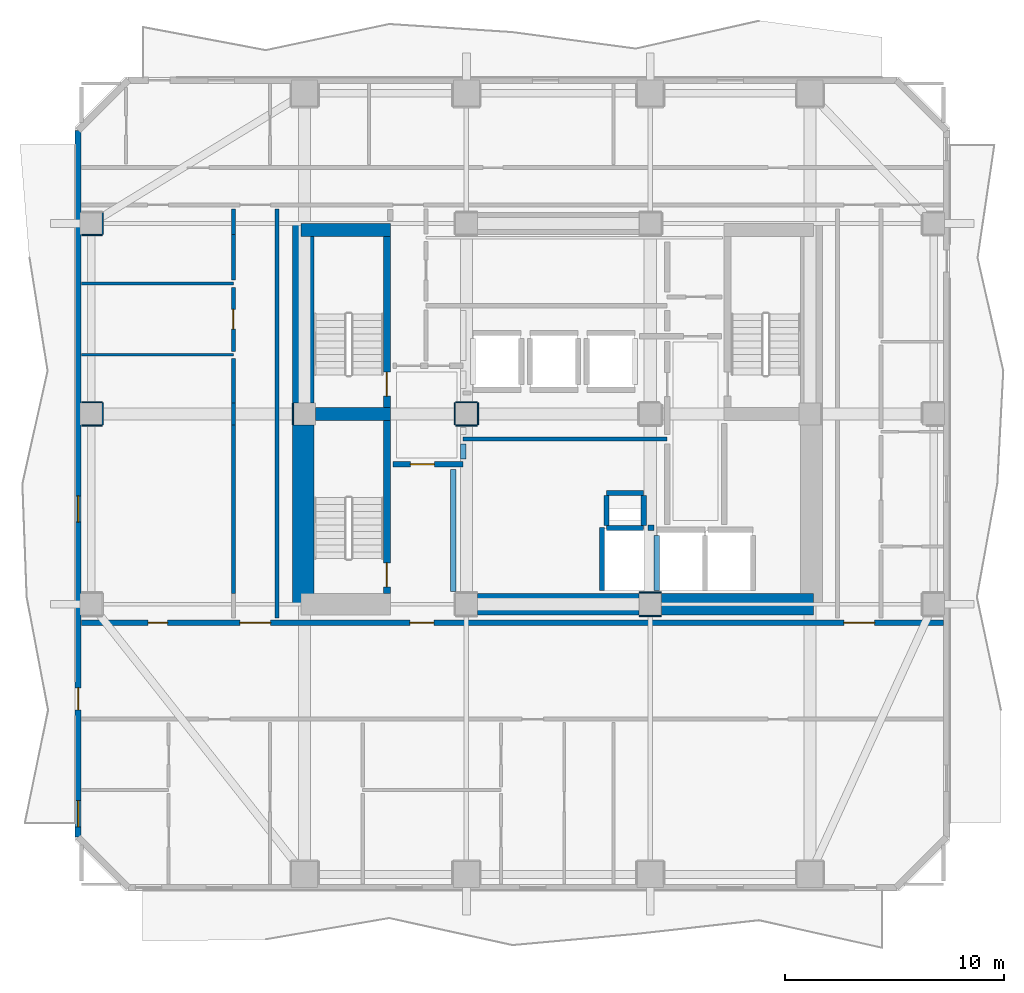
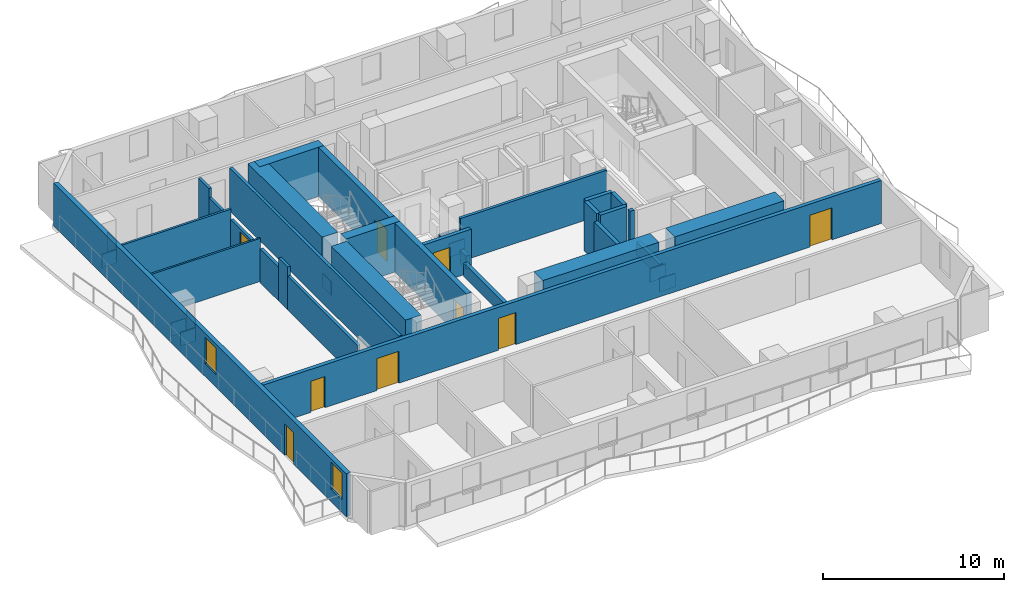
# One storey, part 3 of 10: 42 walls, 9 doors, 2 windows, 11 openings.
"""IFC4 building model written with IfcOpenShell, lengths in metres."""

from ifc_helpers import new_model, si_unit, direction, frame, frame_2d, origin, place, context, subcontext, project, spatial, rectangle, extrude, material, layer, layer_set, type_object, element, fill, save


model = new_model("IFC4")

# Units and contexts
model_context = context("Model", 3, precision=1e-05, world=origin(), true_north=direction((0.0, 1.0)))
body_context = subcontext(model_context, "Body", "Model", "MODEL_VIEW")
ifc_project = project(units=[si_unit("LENGTHUNIT", "METRE"), si_unit("AREAUNIT", "SQUARE_METRE"), si_unit("VOLUMEUNIT", "CUBIC_METRE"), si_unit("PLANEANGLEUNIT", "RADIAN"), si_unit("MASSUNIT", "GRAM", prefix="KILO")], contexts=[model_context])

# Site, building, storey
site_placement = place(None, origin())
site = spatial("IfcSite", under=ifc_project, at=site_placement, CompositionType="ELEMENT")
building_placement = place(site_placement, origin())
building = spatial("IfcBuilding", under=site, at=building_placement, Name="Solanera Arch Residences", CompositionType="ELEMENT")
storey_placement = place(building_placement, frame((0.0, 0.0, 122.679931640625)))
storey = spatial("IfcBuildingStorey", under=building, at=storey_placement, Name="L35", CompositionType="ELEMENT", Elevation=122.679931640625)

# Walls
ifc_material_1 = material(Name="Fire-Rated Gypsum Stud Partition", Category="gypsum")
ifc_layer_1 = layer(ifc_material_1, 0.06005859375)
ifc_layer_set_1 = layer_set([ifc_layer_1], Name="Fire-Rated Gypsum Stud Partition")
wall_type_1 = type_object("IfcWallType", Name="Column Acoustic Furring Wall 60", PredefinedType="PARTITIONING", material=ifc_layer_set_1)
for number, where, z_axis, x_axis, name in (
    (1, (28.699951171875, 21.468017578125, 0.0), (0.0, 0.0, 1.0), (1.0, 0.0, 0.0), "L35 Column Furring 2S"),
    (2, (28.699951171875, 22.531982421875, 0.0), (0.0, 0.0, 1.0), (1.0, 0.0, 0.0), "L35 Column Furring 2N"),
):
    element("IfcWall", number, at=place(storey_placement, frame(where, z_axis=z_axis, x_axis=x_axis)), inside=storey, type_object=wall_type_1, Name=name, PredefinedType="PARTITIONING", context=body_context, shape_type="SweptSolid", body=[
        extrude(rectangle(XDim=1.0, YDim=0.06005859375, at=frame_2d((0.5, 0.0))), origin(), (0.0, 0.0, 1.0), 0.905029296875),
    ])
wall_1_placement = place(storey_placement, frame((12.867919921875, 30.2099609375, 0.0), z_axis=(0.0, 0.0, 1.0), x_axis=(0.0, 1.0, 0.0)))
element("IfcWall", 3, at=wall_1_placement, inside=storey, type_object=wall_type_1, Name="L35 Column Furring 5W", PredefinedType="PARTITIONING", context=body_context, shape_type="SweptSolid", body=[
    extrude(rectangle(XDim=0.97998046875, YDim=0.06005859375, at=frame_2d((0.489990234375, 0.0))), origin(), (0.0, 0.0, 1.0), 0.905029296875),
])
for number, where, z_axis, x_axis, name in (
    (4, (20.300048828125, 30.16796875, 0.0), (0.0, 0.0, 1.0), (1.0, 0.0, 0.0), "L35 Column Furring 7S"),
    (5, (20.300048828125, 31.23193359375, 0.0), (0.0, 0.0, 1.0), (1.0, 0.0, 0.0), "L35 Column Furring 7N"),
    (6, (20.26806640625, 30.199951171875, 0.0), (0.0, 0.0, 1.0), (0.0, 1.0, 0.0), "L35 Column Furring 7W"),
    (7, (21.33203125, 30.199951171875, 0.0), (0.0, 0.0, 1.0), (0.0, 1.0, 0.0), "L35 Column Furring 7E"),
):
    element("IfcWall", number, at=place(storey_placement, frame(where, z_axis=z_axis, x_axis=x_axis)), inside=storey, type_object=wall_type_1, Name=name, PredefinedType="PARTITIONING", context=body_context, shape_type="SweptSolid", body=[
        extrude(rectangle(XDim=1.0, YDim=0.06005859375, at=frame_2d((0.5, 0.0))), origin(), (0.0, 0.0, 1.0), 0.905029296875),
    ])
for number, where, z_axis, x_axis, name in (
    (8, (3.2099609375, 30.16796875, 0.0), (0.0, 0.0, 1.0), (1.0, 0.0, 0.0), "L35 Column Furring 19S"),
    (9, (3.2099609375, 31.23193359375, 0.0), (0.0, 0.0, 1.0), (1.0, 0.0, 0.0), "L35 Column Furring 19N"),
):
    element("IfcWall", number, at=place(storey_placement, frame(where, z_axis=z_axis, x_axis=x_axis)), inside=storey, type_object=wall_type_1, Name=name, PredefinedType="PARTITIONING", context=body_context, shape_type="SweptSolid", body=[
        extrude(rectangle(XDim=0.93994140625, YDim=0.06005859375, at=frame_2d((0.469970703125, 0.0))), origin(), (0.0, 0.0, 1.0), 0.905029296875),
    ])
wall_2_placement = place(storey_placement, frame((4.181884765625, 30.199951171875, 0.0), z_axis=(0.0, 0.0, 1.0), x_axis=(0.0, 1.0, 0.0)))
element("IfcWall", 10, at=wall_2_placement, inside=storey, type_object=wall_type_1, Name="L35 Column Furring 19E", PredefinedType="PARTITIONING", context=body_context, shape_type="SweptSolid", body=[
    extrude(rectangle(XDim=1.0, YDim=0.06005859375, at=frame_2d((0.5, 0.0))), origin(), (0.0, 0.0, 1.0), 1.449951171875),
])
wall_3_placement = place(storey_placement, frame((3.2099609375, 38.867919921875, 0.0), z_axis=(0.0, 0.0, 1.0), x_axis=(1.0, 0.0, 0.0)))
element("IfcWall", 11, at=wall_3_placement, inside=storey, type_object=wall_type_1, Name="L35 Column Furring 21S", PredefinedType="PARTITIONING", context=body_context, shape_type="SweptSolid", body=[
    extrude(rectangle(XDim=0.93994140625, YDim=0.06005859375, at=frame_2d((0.469970703125, 0.0))), origin(), (0.0, 0.0, 1.0), 0.905029296875),
])
wall_4_placement = place(storey_placement, frame((4.181884765625, 38.89990234375, 0.0), z_axis=(0.0, 0.0, 1.0), x_axis=(0.0, 1.0, 0.0)))
element("IfcWall", 12, at=wall_4_placement, inside=storey, type_object=wall_type_1, Name="L35 Column Furring 21E", PredefinedType="PARTITIONING", context=body_context, shape_type="SweptSolid", body=[
    extrude(rectangle(XDim=1.0, YDim=0.06005859375, at=frame_2d((0.5, 0.0))), origin(), (0.0, 0.0, 1.0), 1.449951171875),
])
ifc_material_2 = material(Name="Concrete C55/67 (f'c = 60 MPa)", Category="concrete")
ifc_layer_2 = layer(ifc_material_2, 1.0)
ifc_layer_set_2 = layer_set([ifc_layer_2], Name="Concrete C55/67 (f'c = 60 MPa)")
wall_type_2 = type_object("IfcWallType", Name="Core Shear Wall CW-1000", PredefinedType="SHEAR", material=ifc_layer_set_2)
wall_5_placement = place(storey_placement, frame((13.340087890625, 22.0, 0.0), z_axis=(0.0, 0.0, 1.0), x_axis=(0.0, 1.0, 0.0)))
element("IfcWall", 13, at=wall_5_placement, inside=storey, type_object=wall_type_2, Name="L35 West Core South Shear Wall", PredefinedType="SHEAR", context=body_context, shape_type="SweptSolid", body=[
    extrude(rectangle(XDim=8.195068359375, YDim=1.0, at=frame_2d((4.09765625, 0.0))), origin(), (0.0, 0.0, 1.0), 3.320068359375),
])
wall_6_placement = place(storey_placement, frame((13.340087890625, 31.205078125, 0.0), z_axis=(0.0, 0.0, 1.0), x_axis=(0.0, 1.0, 0.0)))
element("IfcWall", 14, at=wall_6_placement, inside=storey, type_object=wall_type_2, Name="L35 West Core North Shear Wall", PredefinedType="SHEAR", context=body_context, shape_type="SweptSolid", body=[
    extrude(rectangle(XDim=8.19482421875, YDim=1.0, at=frame_2d((4.097412109375, 0.0))), origin(), (0.0, 0.0, 1.0), 3.320068359375),
])
wall_7_placement = place(storey_placement, frame((29.705078125, 22.0, 0.0), z_axis=(0.0, 0.0, 1.0), x_axis=(1.0, 0.0, 0.0)))
element("IfcWall", 15, at=wall_7_placement, inside=storey, type_object=wall_type_2, Name="L35 South-East Core Shear Wall", PredefinedType="SHEAR", context=body_context, shape_type="SweptSolid", body=[
    extrude(rectangle(XDim=6.954833984375, YDim=1.0, at=frame_2d((3.4775390625, 0.0))), origin(), (0.0, 0.0, 1.0), 3.320068359375),
])
wall_8_placement = place(storey_placement, frame((21.304931640625, 22.0, 0.0), z_axis=(0.0, 0.0, 1.0), x_axis=(1.0, 0.0, 0.0)))
element("IfcWall", 16, at=wall_8_placement, inside=storey, type_object=wall_type_2, Name="L35 Central South Core Shear Wall", PredefinedType="SHEAR", context=body_context, shape_type="SweptSolid", body=[
    extrude(rectangle(XDim=7.39013671875, YDim=1.0, at=frame_2d((3.695068359375, 0.0))), origin(), (0.0, 0.0, 1.0), 3.320068359375),
])

# Wall, opening, door
ifc_material_3 = material(Name="Concrete C40/50 (f'c = 45 MPa)", Category="concrete")
ifc_layer_3 = layer(ifc_material_3, 0.320068359375)
ifc_layer_set_3 = layer_set([ifc_layer_3], Name="Concrete C40/50 (f'c = 45 MPa)")
wall_type_3 = type_object("IfcWallType", Name="Core Shear Wall CW-320", PredefinedType="SHEAR", material=ifc_layer_set_3)
wall_9_placement = place(storey_placement, frame((17.159912109375, 31.0, 0.0), z_axis=(0.0, 0.0, 1.0), x_axis=(0.0, 1.0, 0.0)))
wall_9 = element("IfcWall", 17, at=wall_9_placement, inside=storey, type_object=wall_type_3, Name="L35 Stair ST-T1 East Shear Wall", PredefinedType="SHEAR", context=body_context, shape_type="SweptSolid", body=[
    extrude(rectangle(XDim=7.800048828125, YDim=0.320068359375, at=frame_2d((3.89990234375, 0.0))), origin(), (0.0, 0.0, 1.0), 3.320068359375),
])
opening_1_placement = place(wall_9_placement, frame((0.510009765625, 0.0, 0.0)))
opening_1 = element("IfcOpeningElement", 18, at=opening_1_placement, cuts=wall_9, Name="Opening DF-01", PredefinedType="OPENING", context=body_context, shape_type="SweptSolid", body=[
    extrude(rectangle(XDim=1.10009765625, YDim=2.14990234375, at=frame_2d((0.550048828125, 1.074951171875))), frame((0.0, 0.169921875, 0.0), z_axis=(0.0, -1.0, 0.0), x_axis=(1.0, 0.0, 0.0)), (0.0, 0.0, 1.0), 0.3401),
])
ifc_material_4 = material(Name="Fire-Rated Architectural Hardwood", Category="wood")
door_type_1 = type_object("IfcDoorType", Name="Stair Exit Fire Door DF-01", OperationType="NOTDEFINED", PredefinedType="DOOR", material=ifc_material_4)
door_1_placement = place(opening_1_placement, origin())
door_1 = element("IfcDoor", 19, at=door_1_placement, inside=storey, type_object=door_type_1, Name="DR-L35-STAIR-ST-T1", OperationType="SINGLE_SWING_LEFT", OverallHeight=2.14990234375, OverallWidth=1.10009765625, PredefinedType="DOOR", context=body_context, shape_type="SweptSolid", body=[
    extrude(rectangle(XDim=1.10009765625, YDim=2.14990234375, at=frame_2d((0.550048828125, 1.074951171875))), frame((0.0, 0.02490234375, 0.0), z_axis=(0.0, -1.0, 0.0), x_axis=(1.0, 0.0, 0.0)), (0.0, 0.0, 1.0), 0.050048828125),
])
fill(opening_1, door_1)

wall_10_placement = place(storey_placement, frame((17.159912109375, 22.5, 0.0), z_axis=(0.0, 0.0, 1.0), x_axis=(0.0, 1.0, 0.0)))
wall_10 = element("IfcWall", 20, at=wall_10_placement, inside=storey, type_object=wall_type_3, Name="L35 Stair ST-T3 East Shear Wall", PredefinedType="SHEAR", context=body_context, shape_type="SweptSolid", body=[
    extrude(rectangle(XDim=7.89990234375, YDim=0.320068359375, at=frame_2d((3.949951171875, 0.0))), origin(), (0.0, 0.0, 1.0), 3.320068359375),
])
opening_2_placement = place(wall_10_placement, frame((0.2900390625, 0.0, 0.0)))
opening_2 = element("IfcOpeningElement", 21, at=opening_2_placement, cuts=wall_10, Name="Opening DF-01", PredefinedType="OPENING", context=body_context, shape_type="SweptSolid", body=[
    extrude(rectangle(XDim=1.10009765625, YDim=2.14990234375, at=frame_2d((0.550048828125, 1.074951171875))), frame((0.0, 0.169921875, 0.0), z_axis=(0.0, -1.0, 0.0), x_axis=(1.0, 0.0, 0.0)), (0.0, 0.0, 1.0), 0.3401),
])
door_2_placement = place(opening_2_placement, origin())
door_2 = element("IfcDoor", 22, at=door_2_placement, inside=storey, type_object=door_type_1, Name="DR-L35-STAIR-ST-T3", OperationType="SINGLE_SWING_LEFT", OverallHeight=2.14990234375, OverallWidth=1.10009765625, PredefinedType="DOOR", context=body_context, shape_type="SweptSolid", body=[
    extrude(rectangle(XDim=1.10009765625, YDim=2.14990234375, at=frame_2d((0.550048828125, 1.074951171875))), frame((0.0, 0.02490234375, 0.0), z_axis=(0.0, -1.0, 0.0), x_axis=(1.0, 0.0, 0.0)), (0.0, 0.0, 1.0), 0.050048828125),
])
fill(opening_2, door_2)

# Walls
ifc_material_5 = material(Name="Concrete C40/50 (f'c = 45 MPa)", Category="concrete")
ifc_layer_4 = layer(ifc_material_5, 0.60009765625)
ifc_layer_set_4 = layer_set([ifc_layer_4], Name="Concrete C40/50 (f'c = 45 MPa)")
wall_type_4 = type_object("IfcWallType", Name="Core Shear Wall CW-600", PredefinedType="SHEAR", material=ifc_layer_set_4)
wall_11_placement = place(storey_placement, frame((13.239990234375, 39.10009765625, 0.0), z_axis=(0.0, 0.0, 1.0), x_axis=(1.0, 0.0, 0.0)))
element("IfcWall", 23, at=wall_11_placement, inside=storey, type_object=wall_type_4, Name="L35 North-West Core Shear Wall", PredefinedType="SHEAR", context=body_context, shape_type="SweptSolid", body=[
    extrude(rectangle(XDim=4.080078125, YDim=0.60009765625, at=frame_2d((2.0400390625, 0.0))), origin(), (0.0, 0.0, 1.0), 3.320068359375),
])
wall_12_placement = place(storey_placement, frame((13.905029296875, 30.699951171875, 0.0), z_axis=(0.0, 0.0, 1.0), x_axis=(1.0, 0.0, 0.0)))
element("IfcWall", 24, at=wall_12_placement, inside=storey, type_object=wall_type_4, Name="L35 West Stair Divider Shear Wall", PredefinedType="SHEAR", context=body_context, shape_type="SweptSolid", body=[
    extrude(rectangle(XDim=3.4150390625, YDim=0.60009765625, at=frame_2d((1.70751953125, 0.0))), origin(), (0.0, 0.0, 1.0), 3.320068359375),
])
ifc_material_6 = material(Name="Autoclaved Aerated Concrete Blockwork", Category="masonry")
ifc_layer_5 = layer(ifc_material_6, 0.179931640625)
ifc_layer_set_5 = layer_set([ifc_layer_5], Name="Autoclaved Aerated Concrete Blockwork")
wall_type_5 = type_object("IfcWallType", Name="Corridor Fire Partition 180", PredefinedType="PARTITIONING", material=ifc_layer_set_5)
wall_13_placement = place(storey_placement, frame((20.64990234375, 29.550048828125, 0.0), z_axis=(0.0, 0.0, 1.0), x_axis=(1.0, 0.0, 0.0)))
element("IfcWall", 25, at=wall_13_placement, inside=storey, type_object=wall_type_5, Name="L35 Interior Partition H8", PredefinedType="PARTITIONING", context=body_context, shape_type="SweptSolid", body=[
    extrude(rectangle(XDim=9.3251953125, YDim=0.179931640625, at=frame_2d((4.66259765625, 0.0))), origin(), (0.0, 0.0, 1.0), 2.900146484375),
])
wall_14_placement = place(storey_placement, frame((10.14990234375, 22.5, 0.0), z_axis=(0.0, 0.0, 1.0), x_axis=(0.0, 1.0, 0.0)))
element("IfcWall", 26, at=wall_14_placement, inside=storey, type_object=wall_type_5, Name="L35 Interior Partition V8 2", PredefinedType="PARTITIONING", context=body_context, shape_type="SweptSolid", body=[
    extrude(rectangle(XDim=7.699951171875, YDim=0.179931640625, at=frame_2d((3.85009765625, 0.0))), origin(), (0.0, 0.0, 1.0), 2.28515625),
])
wall_15_placement = place(storey_placement, frame((10.14990234375, 30.199951171875, 0.0), z_axis=(0.0, 0.0, 1.0), x_axis=(0.0, 1.0, 0.0)))
element("IfcWall", 27, at=wall_15_placement, inside=storey, type_object=wall_type_5, Name="L35 Interior Partition V8 3", PredefinedType="PARTITIONING", context=body_context, shape_type="SweptSolid", body=[
    extrude(rectangle(XDim=1.0, YDim=0.179931640625, at=frame_2d((0.5, 0.0))), origin(), (0.0, 0.0, 1.0), 2.900146484375),
])
wall_16_placement = place(storey_placement, frame((10.14990234375, 31.199951171875, 0.0), z_axis=(0.0, 0.0, 1.0), x_axis=(0.0, 1.0, 0.0)))
element("IfcWall", 28, at=wall_16_placement, inside=storey, type_object=wall_type_5, Name="L35 Interior Partition V8 4", PredefinedType="PARTITIONING", context=body_context, shape_type="SweptSolid", body=[
    extrude(rectangle(XDim=2.0419921875, YDim=0.179931640625, at=frame_2d((1.02099609375, 0.0))), origin(), (0.0, 0.0, 1.0), 2.28515625),
])

# Wall, opening, door
wall_17_placement = place(storey_placement, frame((10.14990234375, 33.55810546875, 0.0), z_axis=(0.0, 0.0, 1.0), x_axis=(0.0, 1.0, 0.0)))
wall_17 = element("IfcWall", 29, at=wall_17_placement, inside=storey, type_object=wall_type_5, Name="L35 Interior Partition V8 5", PredefinedType="PARTITIONING", context=body_context, shape_type="SweptSolid", body=[
    extrude(rectangle(XDim=2.923828125, YDim=0.179931640625, at=frame_2d((1.4619140625, 0.0))), origin(), (0.0, 0.0, 1.0), 2.28515625),
])
opening_3_placement = place(wall_17_placement, frame((1.01708984375, 0.0, 0.0)))
opening_3 = element("IfcOpeningElement", 30, at=opening_3_placement, cuts=wall_17, Name="Opening DI-02", PredefinedType="OPENING", context=body_context, shape_type="SweptSolid", body=[
    extrude(rectangle(XDim=0.89990234375, YDim=2.10009765625, at=frame_2d((0.449951171875, 1.050048828125))), frame((0.0, 0.10009765625, 0.0), z_axis=(0.0, -1.0, 0.0), x_axis=(1.0, 0.0, 0.0)), (0.0, 0.0, 1.0), 0.1999),
])
ifc_material_7 = material(Name="Fire-Rated Architectural Hardwood", Category="wood")
door_type_2 = type_object("IfcDoorType", Name="Suite Room Swing Door DI-02", OperationType="NOTDEFINED", PredefinedType="DOOR", material=ifc_material_7)
door_3_placement = place(opening_3_placement, origin())
door_3 = element("IfcDoor", 31, at=door_3_placement, inside=storey, type_object=door_type_2, Name="DR-L35-IN-032", OperationType="SINGLE_SWING_RIGHT", OverallHeight=2.10009765625, OverallWidth=0.89990234375, PredefinedType="DOOR", context=body_context, shape_type="SweptSolid", body=[
    extrude(rectangle(XDim=0.89990234375, YDim=2.10009765625, at=frame_2d((0.449951171875, 1.050048828125))), frame((0.0, 0.02490234375, 0.0), z_axis=(0.0, -1.0, 0.0), x_axis=(1.0, 0.0, 0.0)), (0.0, 0.0, 1.0), 0.050048828125),
])
fill(opening_3, door_3)

# Walls
wall_18_placement = place(storey_placement, frame((10.14990234375, 36.818115234375, 0.0), z_axis=(0.0, 0.0, 1.0), x_axis=(0.0, 1.0, 0.0)))
element("IfcWall", 32, at=wall_18_placement, inside=storey, type_object=wall_type_5, Name="L35 Interior Partition V8 6", PredefinedType="PARTITIONING", context=body_context, shape_type="SweptSolid", body=[
    extrude(rectangle(XDim=2.081787109375, YDim=0.179931640625, at=frame_2d((1.041015625, 0.0))), origin(), (0.0, 0.0, 1.0), 2.28515625),
])
wall_19_placement = place(storey_placement, frame((10.14990234375, 38.89990234375, 0.0), z_axis=(0.0, 0.0, 1.0), x_axis=(0.0, 1.0, 0.0)))
element("IfcWall", 33, at=wall_19_placement, inside=storey, type_object=wall_type_5, Name="L35 Interior Partition V8 7", PredefinedType="PARTITIONING", context=body_context, shape_type="SweptSolid", body=[
    extrude(rectangle(XDim=1.162109375, YDim=0.179931640625, at=frame_2d((0.5810546875, 0.0))), origin(), (0.0, 0.0, 1.0), 2.900146484375),
])
wall_20_placement = place(storey_placement, frame((12.14990234375, 21.367919921875, 0.0), z_axis=(0.0, 0.0, 1.0), x_axis=(0.0, 1.0, 0.0)))
element("IfcWall", 34, at=wall_20_placement, inside=storey, type_object=wall_type_5, Name="L35 Interior Partition V9", PredefinedType="PARTITIONING", context=body_context, shape_type="SweptSolid", body=[
    extrude(rectangle(XDim=18.694091796875, YDim=0.179931640625, at=frame_2d((9.34716796875, 0.0))), origin(), (0.0, 0.0, 1.0), 2.900146484375),
])

# Wall, openings, door, windows
ifc_material_8 = material(Name="Precast Concrete C35/45", Category="concrete")
ifc_layer_6 = layer(ifc_material_8, 0.280029296875)
ifc_layer_set_6 = layer_set([ifc_layer_6], Name="Precast Concrete C35/45")
wall_type_6 = type_object("IfcWallType", Name="Exterior Wall Precast Masonry-Frame 280", PredefinedType="STANDARD", material=ifc_layer_set_6)
wall_21_placement = place(storey_placement, frame((3.054931640625, 11.35498046875, 0.0), z_axis=(0.0, 0.0, 1.0), x_axis=(0.0, 1.0, 0.0)))
wall_21 = element("IfcWall", 35, at=wall_21_placement, inside=storey, type_object=wall_type_6, Name="L35 Tower Exterior Precast Masonry-Frame Wall W", PredefinedType="STANDARD", context=body_context, shape_type="SweptSolid", body=[
    extrude(rectangle(XDim=32.2900390625, YDim=0.280029296875, at=frame_2d((16.14501953125, 0.0))), origin(), (0.0, 0.0, 1.0), 2.900146484375),
])
opening_4_placement = place(wall_21_placement, frame((5.818115234375, 0.0, 0.0)))
opening_4 = element("IfcOpeningElement", 36, at=opening_4_placement, cuts=wall_21, Name="Opening DB-01", PredefinedType="OPENING", context=body_context, shape_type="SweptSolid", body=[
    extrude(rectangle(XDim=1.0, YDim=2.14990234375, at=frame_2d((0.5, 1.074951171875))), frame((0.0, 0.14990234375, 0.0), z_axis=(0.0, -1.0, 0.0), x_axis=(1.0, 0.0, 0.0)), (0.0, 0.0, 1.0), 0.3),
])
opening_5_placement = place(wall_21_placement, frame((0.469970703125, 0.0, 0.85009765625)))
opening_5 = element("IfcOpeningElement", 37, at=opening_5_placement, cuts=wall_21, Name="Opening W-01", PredefinedType="OPENING", context=body_context, shape_type="SweptSolid", body=[
    extrude(rectangle(XDim=1.199951171875, YDim=1.800048828125, at=frame_2d((0.60009765625, 0.89990234375))), frame((0.0, 0.14990234375, 0.0), z_axis=(0.0, -1.0, 0.0), x_axis=(1.0, 0.0, 0.0)), (0.0, 0.0, 1.0), 0.3),
])
opening_6_placement = place(wall_21_placement, frame((14.39501953125, 0.0, 0.85009765625)))
opening_6 = element("IfcOpeningElement", 38, at=opening_6_placement, cuts=wall_21, Name="Opening W-01", PredefinedType="OPENING", context=body_context, shape_type="SweptSolid", body=[
    extrude(rectangle(XDim=1.199951171875, YDim=1.800048828125, at=frame_2d((0.60009765625, 0.89990234375))), frame((0.0, 0.14990234375, 0.0), z_axis=(0.0, -1.0, 0.0), x_axis=(1.0, 0.0, 0.0)), (0.0, 0.0, 1.0), 0.3),
])
ifc_material_9 = material(Name="Anodised Aluminium Alloy 6063-T6", Category="aluminium")
door_type_3 = type_object("IfcDoorType", Name="Glazed Balcony Swing Door DB-01", OperationType="NOTDEFINED", PredefinedType="DOOR", material=ifc_material_9)
door_4_placement = place(opening_4_placement, origin())
door_4 = element("IfcDoor", 39, at=door_4_placement, inside=storey, type_object=door_type_3, Name="DR-L35-OUT-04", OperationType="SINGLE_SWING_RIGHT", OverallHeight=2.14990234375, OverallWidth=1.0, PredefinedType="DOOR", context=body_context, shape_type="SweptSolid", body=[
    extrude(rectangle(XDim=1.0, YDim=2.14990234375, at=frame_2d((0.5, 1.074951171875))), frame((0.0, 0.02490234375, 0.0), z_axis=(0.0, -1.0, 0.0), x_axis=(1.0, 0.0, 0.0)), (0.0, 0.0, 1.0), 0.050048828125),
])
fill(opening_4, door_4)
ifc_material_10 = material(Name="Double Glazed Low-E Laminated Glass", Category="glass")
window_type = type_object("IfcWindowType", Name="Punched Window W-01", PartitioningType="SINGLE_PANEL", PredefinedType="WINDOW", material=ifc_material_10)
window_1_placement = place(opening_5_placement, origin())
window_1 = element("IfcWindow", 40, at=window_1_placement, inside=storey, type_object=window_type, Name="L35 3501-BR1 Punched Window", OverallHeight=1.800048828125, OverallWidth=1.199951171875, PartitioningType="SINGLE_PANEL", PredefinedType="WINDOW", context=body_context, shape_type="SweptSolid", body=[
    extrude(rectangle(XDim=1.199951171875, YDim=1.800048828125, at=frame_2d((0.60009765625, 0.89990234375))), frame((0.0, 0.030029296875, 0.0), z_axis=(0.0, -1.0, 0.0), x_axis=(1.0, 0.0, 0.0)), (0.0, 0.0, 1.0), 0.06005859375),
])
fill(opening_5, window_1)
window_2_placement = place(opening_6_placement, origin())
window_2 = element("IfcWindow", 41, at=window_2_placement, inside=storey, type_object=window_type, Name="L35 AMN-FIT Punched Window", OverallHeight=1.800048828125, OverallWidth=1.199951171875, PartitioningType="SINGLE_PANEL", PredefinedType="WINDOW", context=body_context, shape_type="SweptSolid", body=[
    extrude(rectangle(XDim=1.199951171875, YDim=1.800048828125, at=frame_2d((0.60009765625, 0.89990234375))), frame((0.0, 0.030029296875, 0.0), z_axis=(0.0, -1.0, 0.0), x_axis=(1.0, 0.0, 0.0)), (0.0, 0.0, 1.0), 0.06005859375),
])
fill(opening_6, window_2)

# Walls
ifc_material_11 = material(Name="Concrete C40/50 (f'c = 45 MPa)", Category="concrete")
ifc_layer_7 = layer(ifc_material_11, 0.239990234375)
ifc_layer_set_7 = layer_set([ifc_layer_7], Name="Concrete C40/50 (f'c = 45 MPa)")
wall_type_7 = type_object("IfcWallType", Name="Ramp Bearing Shear Wall RW-240", PredefinedType="SHEAR", material=ifc_layer_set_7)
for number, where, z_axis, x_axis, name in (
    (42, (27.199951171875, 25.47998046875, 0.0), (0.0, 0.0, 1.0), (1.0, 0.0, 0.0), "L35 Core MEP Riser South Shaft Wall"),
    (43, (27.199951171875, 27.080078125, 0.0), (0.0, 0.0, 1.0), (1.0, 0.0, 0.0), "L35 Core MEP Riser North Shaft Wall"),
):
    element("IfcWall", number, at=place(storey_placement, frame(where, z_axis=z_axis, x_axis=x_axis)), inside=storey, type_object=wall_type_7, Name=name, PredefinedType="SHEAR", context=body_context, shape_type="SweptSolid", body=[
        extrude(rectangle(XDim=1.699951171875, YDim=0.239990234375, at=frame_2d((0.85009765625, 0.0))), origin(), (0.0, 0.0, 1.0), 3.320068359375),
    ])
for number, where, z_axis, x_axis, name in (
    (44, (27.199951171875, 25.60009765625, 0.0), (0.0, 0.0, 1.0), (0.0, 1.0, 0.0), "L35 Core MEP Riser West Shaft Wall"),
    (45, (28.89990234375, 25.60009765625, 0.0), (0.0, 0.0, 1.0), (0.0, 1.0, 0.0), "L35 Core MEP Riser East Shaft Wall"),
):
    element("IfcWall", number, at=place(storey_placement, frame(where, z_axis=z_axis, x_axis=x_axis)), inside=storey, type_object=wall_type_7, Name=name, PredefinedType="SHEAR", context=body_context, shape_type="SweptSolid", body=[
        extrude(rectangle(XDim=1.35986328125, YDim=0.239990234375, at=frame_2d((0.679931640625, 0.0))), origin(), (0.0, 0.0, 1.0), 3.320068359375),
    ])
ifc_material_12 = material(Name="Autoclaved Aerated Concrete Blockwork", Category="masonry")
ifc_layer_8 = layer(ifc_material_12, 0.239990234375)
ifc_layer_set_8 = layer_set([ifc_layer_8], Name="Autoclaved Aerated Concrete Blockwork")
wall_type_8 = type_object("IfcWallType", Name="Shaft Wall Fire-Rated 240", PredefinedType="PARTITIONING", material=ifc_layer_set_8)
wall_22_placement = place(storey_placement, frame((29.5, 22.632080078125, 0.0), z_axis=(0.0, 0.0, 1.0), x_axis=(0.0, 1.0, 0.0)))
element("IfcWall", 46, at=wall_22_placement, inside=storey, type_object=wall_type_8, Name="L35 Lift FFL-1 Hoistway Wall W", PredefinedType="PARTITIONING", context=body_context, shape_type="SweptSolid", body=[
    extrude(rectangle(XDim=2.52001953125, YDim=0.239990234375, at=frame_2d((1.260009765625, 0.0))), origin(), (0.0, 0.0, 1.0), 0.905029296875),
])
wall_23_placement = place(storey_placement, frame((29.10302734375, 25.5, 0.0), z_axis=(0.0, 0.0, 1.0), x_axis=(1.0, 0.0, 0.0)))
element("IfcWall", 47, at=wall_23_placement, inside=storey, type_object=wall_type_8, Name="L35 Lift SVL-1 Hoistway Wall N", PredefinedType="PARTITIONING", context=body_context, shape_type="SweptSolid", body=[
    extrude(rectangle(XDim=0.26904296875, YDim=0.239990234375, at=frame_2d((0.134521484375, 0.0))), origin(), (0.0, 0.0, 1.0), 2.900146484375),
])
wall_24_placement = place(storey_placement, frame((27.0, 22.6298828125, 0.0), z_axis=(0.0, 0.0, 1.0), x_axis=(0.0, 1.0, 0.0)))
element("IfcWall", 48, at=wall_24_placement, inside=storey, type_object=wall_type_8, Name="L35 Lift SVL-1 Hoistway Wall W", PredefinedType="PARTITIONING", context=body_context, shape_type="SweptSolid", body=[
    extrude(rectangle(XDim=2.8681640625, YDim=0.239990234375, at=frame_2d((1.43408203125, 0.0))), origin(), (0.0, 0.0, 1.0), 2.900146484375),
])

# Wall, openings, doors
wall_25_placement = place(storey_placement, frame((3.20703125, 21.14990234375, 0.0), z_axis=(0.0, 0.0, 1.0), x_axis=(1.0, 0.0, 0.0)))
wall_25 = element("IfcWall", 49, at=wall_25_placement, inside=storey, type_object=wall_type_8, Name="L35 Interior Partition H1", PredefinedType="PARTITIONING", context=body_context, shape_type="SweptSolid", body=[
    extrude(rectangle(XDim=39.385986328125, YDim=0.239990234375, at=frame_2d((19.69287109375, 0.0))), origin(), (0.0, 0.0, 1.0), 2.900146484375),
])
opening_7_placement = place(wall_25_placement, frame((15.0029296875, 0.0, 0.0)))
opening_7 = element("IfcOpeningElement", 50, at=opening_7_placement, cuts=wall_25, Name="Opening DF-02", PredefinedType="OPENING", context=body_context, shape_type="SweptSolid", body=[
    extrude(rectangle(XDim=1.10009765625, YDim=2.14990234375, at=frame_2d((0.550048828125, 1.074951171875))), frame((0.0, 0.1298828125, 0.0), z_axis=(0.0, -1.0, 0.0), x_axis=(1.0, 0.0, 0.0)), (0.0, 0.0, 1.0), 0.26),
])
opening_8_placement = place(wall_25_placement, frame((7.242919921875, 0.0, 0.0)))
opening_8 = element("IfcOpeningElement", 51, at=opening_8_placement, cuts=wall_25, Name="Opening DF-03", PredefinedType="OPENING", context=body_context, shape_type="SweptSolid", body=[
    extrude(rectangle(XDim=1.39990234375, YDim=2.14990234375, at=frame_2d((0.699951171875, 1.074951171875))), frame((0.0, 0.1298828125, 0.0), z_axis=(0.0, -1.0, 0.0), x_axis=(1.0, 0.0, 0.0)), (0.0, 0.0, 1.0), 0.26),
])
opening_9_placement = place(wall_25_placement, frame((34.843017578125, 0.0, 0.0)))
opening_9 = element("IfcOpeningElement", 52, at=opening_9_placement, cuts=wall_25, Name="Opening DF-03", PredefinedType="OPENING", context=body_context, shape_type="SweptSolid", body=[
    extrude(rectangle(XDim=1.39990234375, YDim=2.14990234375, at=frame_2d((0.699951171875, 1.074951171875))), frame((0.0, 0.1298828125, 0.0), z_axis=(0.0, -1.0, 0.0), x_axis=(1.0, 0.0, 0.0)), (0.0, 0.0, 1.0), 0.26),
])
opening_10_placement = place(wall_25_placement, frame((3.0419921875, 0.0, 0.0)))
opening_10 = element("IfcOpeningElement", 53, at=opening_10_placement, cuts=wall_25, Name="Opening DI-02", PredefinedType="OPENING", context=body_context, shape_type="SweptSolid", body=[
    extrude(rectangle(XDim=0.89990234375, YDim=2.10009765625, at=frame_2d((0.449951171875, 1.050048828125))), frame((0.0, 0.1298828125, 0.0), z_axis=(0.0, -1.0, 0.0), x_axis=(1.0, 0.0, 0.0)), (0.0, 0.0, 1.0), 0.26),
])
ifc_material_13 = material(Name="Fire-Rated Architectural Hardwood", Category="wood")
door_type_4 = type_object("IfcDoorType", Name="Corridor Smoke Door DF-03", OperationType="NOTDEFINED", PredefinedType="DOOR", material=ifc_material_13)
door_5_placement = place(opening_8_placement, origin())
door_5 = element("IfcDoor", 54, at=door_5_placement, inside=storey, type_object=door_type_4, Name="DR-L35-IN-010", OperationType="SINGLE_SWING_RIGHT", OverallHeight=2.14990234375, OverallWidth=1.39990234375, PredefinedType="DOOR", context=body_context, shape_type="SweptSolid", body=[
    extrude(rectangle(XDim=1.39990234375, YDim=2.14990234375, at=frame_2d((0.699951171875, 1.074951171875))), frame((0.0, 0.02490234375, 0.0), z_axis=(0.0, -1.0, 0.0), x_axis=(1.0, 0.0, 0.0)), (0.0, 0.0, 1.0), 0.050048828125),
])
fill(opening_8, door_5)
door_6_placement = place(opening_9_placement, origin())
door_6 = element("IfcDoor", 55, at=door_6_placement, inside=storey, type_object=door_type_4, Name="DR-L35-IN-011", OperationType="SINGLE_SWING_LEFT", OverallHeight=2.14990234375, OverallWidth=1.39990234375, PredefinedType="DOOR", context=body_context, shape_type="SweptSolid", body=[
    extrude(rectangle(XDim=1.39990234375, YDim=2.14990234375, at=frame_2d((0.699951171875, 1.074951171875))), frame((0.0, 0.02490234375, 0.0), z_axis=(0.0, -1.0, 0.0), x_axis=(1.0, 0.0, 0.0)), (0.0, 0.0, 1.0), 0.050048828125),
])
fill(opening_9, door_6)
ifc_material_14 = material(Name="Fire-Rated Architectural Hardwood", Category="wood")
door_type_5 = type_object("IfcDoorType", Name="Firefighting Lobby Fire Door DF-02", OperationType="NOTDEFINED", PredefinedType="DOOR", material=ifc_material_14)
door_7_placement = place(opening_7_placement, origin())
door_7 = element("IfcDoor", 56, at=door_7_placement, inside=storey, type_object=door_type_5, Name="DR-L35-IN-008", OperationType="SINGLE_SWING_RIGHT", OverallHeight=2.14990234375, OverallWidth=1.10009765625, PredefinedType="DOOR", context=body_context, shape_type="SweptSolid", body=[
    extrude(rectangle(XDim=1.10009765625, YDim=2.14990234375, at=frame_2d((0.550048828125, 1.074951171875))), frame((0.0, 0.02490234375, 0.0), z_axis=(0.0, -1.0, 0.0), x_axis=(1.0, 0.0, 0.0)), (0.0, 0.0, 1.0), 0.050048828125),
])
fill(opening_7, door_7)
door_8_placement = place(opening_10_placement, origin())
door_8 = element("IfcDoor", 57, at=door_8_placement, inside=storey, type_object=door_type_2, Name="DR-L35-IN-031", OperationType="SINGLE_SWING_LEFT", OverallHeight=2.10009765625, OverallWidth=0.89990234375, PredefinedType="DOOR", context=body_context, shape_type="SweptSolid", body=[
    extrude(rectangle(XDim=0.89990234375, YDim=2.10009765625, at=frame_2d((0.449951171875, 1.050048828125))), frame((0.0, 0.02490234375, 0.0), z_axis=(0.0, -1.0, 0.0), x_axis=(1.0, 0.0, 0.0)), (0.0, 0.0, 1.0), 0.050048828125),
])
fill(opening_10, door_8)

# Wall, opening, door
wall_26_placement = place(storey_placement, frame((17.449951171875, 28.39990234375, 0.0), z_axis=(0.0, 0.0, 1.0), x_axis=(1.0, 0.0, 0.0)))
wall_26 = element("IfcWall", 58, at=wall_26_placement, inside=storey, type_object=wall_type_8, Name="L35 Interior Partition H3", PredefinedType="PARTITIONING", context=body_context, shape_type="SweptSolid", body=[
    extrude(rectangle(XDim=3.199951171875, YDim=0.239990234375, at=frame_2d((1.60009765625, 0.0))), origin(), (0.0, 0.0, 1.0), 2.900146484375),
])
opening_11_placement = place(wall_26_placement, frame((0.783935546875, 0.0, 0.0)))
opening_11 = element("IfcOpeningElement", 59, at=opening_11_placement, cuts=wall_26, Name="Opening DF-02", PredefinedType="OPENING", context=body_context, shape_type="SweptSolid", body=[
    extrude(rectangle(XDim=1.10009765625, YDim=2.14990234375, at=frame_2d((0.550048828125, 1.074951171875))), frame((0.0, 0.1298828125, 0.0), z_axis=(0.0, -1.0, 0.0), x_axis=(1.0, 0.0, 0.0)), (0.0, 0.0, 1.0), 0.26),
])
door_9_placement = place(opening_11_placement, origin())
door_9 = element("IfcDoor", 60, at=door_9_placement, inside=storey, type_object=door_type_5, Name="DR-L35-IN-004", OperationType="SINGLE_SWING_RIGHT", OverallHeight=2.14990234375, OverallWidth=1.10009765625, PredefinedType="DOOR", context=body_context, shape_type="SweptSolid", body=[
    extrude(rectangle(XDim=1.10009765625, YDim=2.14990234375, at=frame_2d((0.550048828125, 1.074951171875))), frame((0.0, 0.02490234375, 0.0), z_axis=(0.0, -1.0, 0.0), x_axis=(1.0, 0.0, 0.0)), (0.0, 0.0, 1.0), 0.050048828125),
])
fill(opening_11, door_9)

# Walls
wall_27_placement = place(storey_placement, frame((20.199951171875, 22.5859375, 0.0), z_axis=(0.0, 0.0, 1.0), x_axis=(0.0, 1.0, 0.0)))
element("IfcWall", 61, at=wall_27_placement, inside=storey, type_object=wall_type_8, Name="L35 Interior Partition V2", PredefinedType="PARTITIONING", context=body_context, shape_type="SweptSolid", body=[
    extrude(rectangle(XDim=5.566162109375, YDim=0.239990234375, at=frame_2d((2.783203125, 0.0))), origin(), (0.0, 0.0, 1.0), 0.905029296875),
])
wall_28_placement = place(storey_placement, frame((20.64990234375, 28.64794921875, 0.0), z_axis=(0.0, 0.0, 1.0), x_axis=(0.0, 1.0, 0.0)))
element("IfcWall", 62, at=wall_28_placement, inside=storey, type_object=wall_type_8, Name="L35 Interior Partition V3 1", PredefinedType="PARTITIONING", context=body_context, shape_type="SweptSolid", body=[
    extrude(rectangle(XDim=0.68408203125, YDim=0.239990234375, at=frame_2d((0.342041015625, 0.0))), origin(), (0.0, 0.0, 1.0), 0.905029296875),
])
ifc_material_15 = material(Name="Fire-Rated Gypsum Stud Partition", Category="gypsum")
ifc_layer_9 = layer(ifc_material_15, 0.1201171875)
ifc_layer_set_9 = layer_set([ifc_layer_9], Name="Fire-Rated Gypsum Stud Partition")
wall_type_9 = type_object("IfcWallType", Name="Unit Drywall Partition 120", PredefinedType="PARTITIONING", material=ifc_layer_set_9)
wall_29_placement = place(storey_placement, frame((3.20703125, 33.39990234375, 0.0), z_axis=(0.0, 0.0, 1.0), x_axis=(1.0, 0.0, 0.0)))
element("IfcWall", 63, at=wall_29_placement, inside=storey, type_object=wall_type_9, Name="L35 Interior Partition H20", PredefinedType="PARTITIONING", context=body_context, shape_type="SweptSolid", body=[
    extrude(rectangle(XDim=6.94287109375, YDim=0.1201171875, at=frame_2d((3.471435546875, 0.0))), origin(), (0.0, 0.0, 1.0), 2.900146484375),
])
ifc_material_16 = material(Name="Autoclaved Aerated Concrete Blockwork", Category="masonry")
ifc_layer_10 = layer(ifc_material_16, 0.139892578125)
ifc_layer_set_10 = layer_set([ifc_layer_10], Name="Autoclaved Aerated Concrete Blockwork")
wall_type_10 = type_object("IfcWallType", Name="Wet-Room Partition 140", PredefinedType="PARTITIONING", material=ifc_layer_set_10)
wall_30_placement = place(storey_placement, frame((3.20703125, 36.64990234375, 0.0), z_axis=(0.0, 0.0, 1.0), x_axis=(1.0, 0.0, 0.0)))
element("IfcWall", 64, at=wall_30_placement, inside=storey, type_object=wall_type_10, Name="L35 Interior Partition H16", PredefinedType="PARTITIONING", context=body_context, shape_type="SweptSolid", body=[
    extrude(rectangle(XDim=6.94287109375, YDim=0.139892578125, at=frame_2d((3.471435546875, 0.0))), origin(), (0.0, 0.0, 1.0), 2.900146484375),
])

save(model, "model.ifc")
